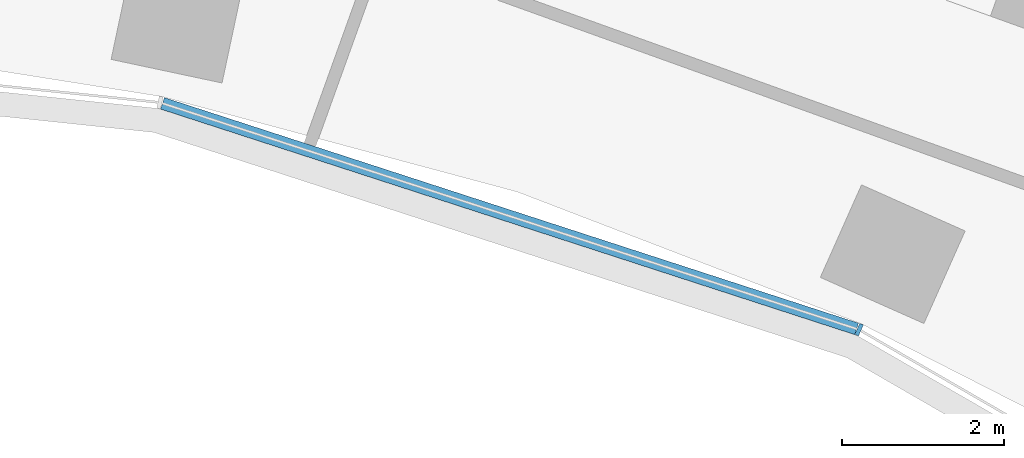
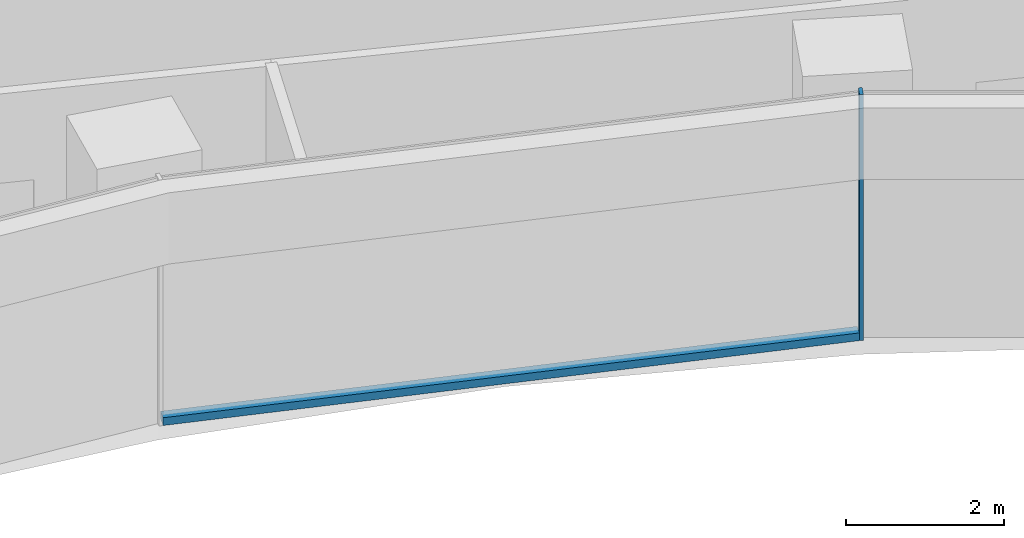
# One storey, part 9 of 21: 2 members, 1 element without a shape of its own.
"""IFC4 building model written with IfcOpenShell, lengths in metres."""

from ifc_helpers import new_model, si_unit, direction, frame, origin, origin_2d, place, context, subcontext, project, spatial, rectangle, extrude, material, layer, layer_set, material_profile, profile_set, type_object, element, aggregate, save


model = new_model("IFC4")

# Units and contexts
model_context = context("Model", 3, precision=1e-05, world=origin(), true_north=direction((0.0, 1.0)))
body_context = subcontext(model_context, "Body", "Model", "MODEL_VIEW")
ifc_project = project(units=[si_unit("LENGTHUNIT", "METRE"), si_unit("AREAUNIT", "SQUARE_METRE"), si_unit("VOLUMEUNIT", "CUBIC_METRE"), si_unit("PLANEANGLEUNIT", "RADIAN"), si_unit("MASSUNIT", "GRAM", prefix="KILO")], contexts=[model_context])

# Site, building, storey
site_placement = place(None, origin())
site = spatial("IfcSite", under=ifc_project, at=site_placement, CompositionType="ELEMENT")
building_placement = place(site_placement, origin())
building = spatial("IfcBuilding", under=site, at=building_placement, Name="Stone Belt Terrace Tower", CompositionType="ELEMENT")
storey_placement = place(building_placement, frame((0.0, 0.0, 71.800048828125)))
storey = spatial("IfcBuildingStorey", under=building, at=storey_placement, Name="L17", CompositionType="ELEMENT", Elevation=71.800048828125)

# Curtain wall, members
ifc_material = material(Name="Aluminium 6063-T6 anodised frame", Category="aluminium")
ifc_layer = layer(ifc_material, 0.14990234375)
ifc_layer_set = layer_set([ifc_layer], Name="CW-B unitised concave-face curtain wall")
curtain_wall_type = type_object("IfcCurtainWallType", Name="CW-B unitised concave-face curtain wall", PredefinedType="NOTDEFINED", material=ifc_layer_set)
curtain_wall_placement = place(storey_placement, origin())
curtain_wall = element("IfcCurtainWall", 1, at=curtain_wall_placement, inside=storey, type_object=curtain_wall_type, Name="CW-B concave face L17", PredefinedType="NOTDEFINED")
ifc_material_profile_1 = material_profile(ifc_material, rectangle(XDim=0.14990234375, YDim=0.050048828125, at=origin_2d()), Name="Aluminium 6063-T6 50x150")
ifc_profile_set_1 = profile_set([ifc_material_profile_1], Name="Aluminium 6063-T6 anodised frame")
member_type_1 = type_object("IfcMemberType", Name="CW-B mullion 50 x 150", PredefinedType="MULLION", material=ifc_profile_set_1)
member_1_placement = place(storey_placement, frame((17.662353515625, 39.67041015625, 0.0), z_axis=(0.0, 0.0, 1.0), x_axis=(0.406736643076, 0.913545457643, 0.0)))
member_1 = element("IfcMember", 2, at=member_1_placement, type_object=member_type_1, Name="CW-B mullion 8", PredefinedType="MULLION", context=body_context, shape_type="SweptSolid", body=[
    extrude(rectangle(XDim=0.14990234375, YDim=0.050048828125, at=origin_2d()), origin(), (0.0, 0.0, 1.0), 3.800048828125),
])
ifc_material_profile_2 = material_profile(ifc_material, rectangle(XDim=0.14990234375, YDim=0.1201171875, at=origin_2d()), Name="Aluminium 6063-T6 150x120")
ifc_profile_set_2 = profile_set([ifc_material_profile_2], Name="Aluminium 6063-T6 anodised frame")
member_type_2 = type_object("IfcMemberType", Name="CW-B transom 120 x 150", PredefinedType="USERDEFINED", material=ifc_profile_set_2)
member_2_placement = place(storey_placement, frame((9.0595703125, 42.465576171875, 0.06005859375), z_axis=(0.951055963285, -0.309018696359, 0.0), x_axis=(0.309018696359, 0.951055963285, 0.0)))
member_2 = element("IfcMember", 3, at=member_2_placement, type_object=member_type_2, Name="CW-B transom 7.1", ObjectType="TRANSOM", PredefinedType="USERDEFINED", context=body_context, shape_type="SweptSolid", body=[
    extrude(rectangle(XDim=0.14990234375, YDim=0.1201171875, at=origin_2d()), origin(), (0.0, 0.0, 1.0), 9.012939453125),
])
aggregate(curtain_wall, [member_1, member_2])

save(model, "model.ifc")
